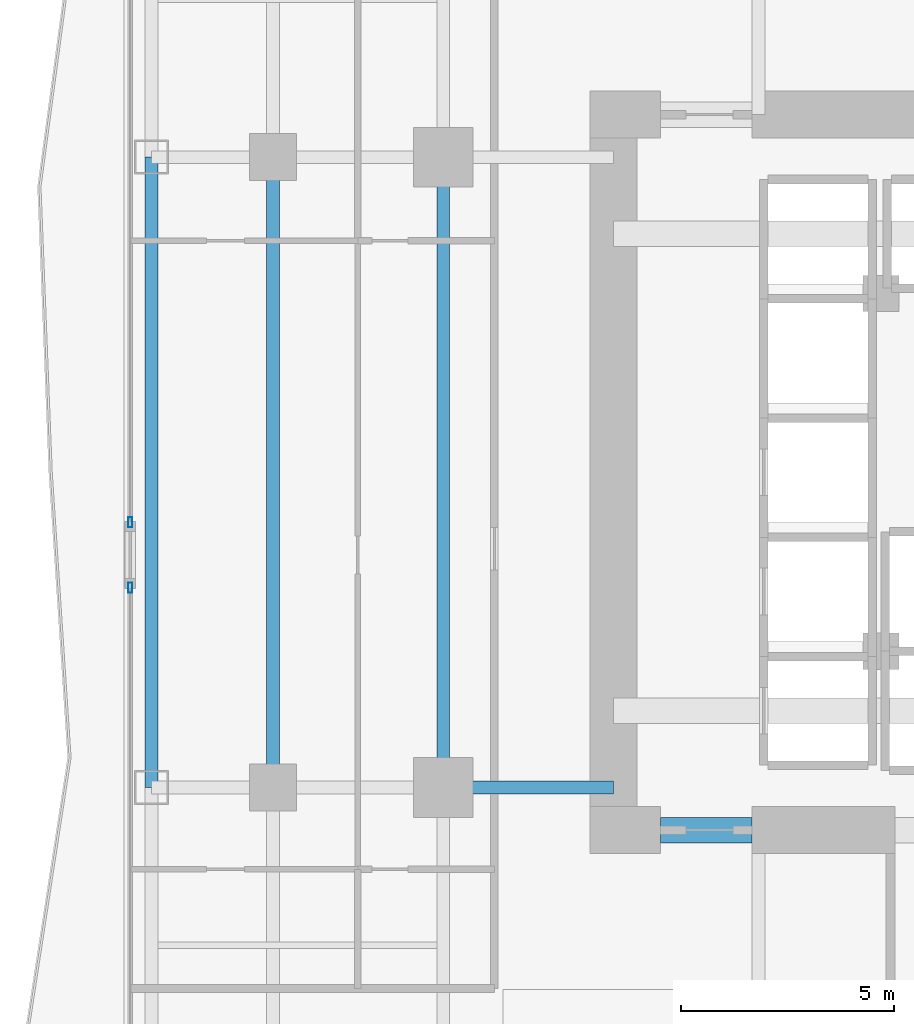
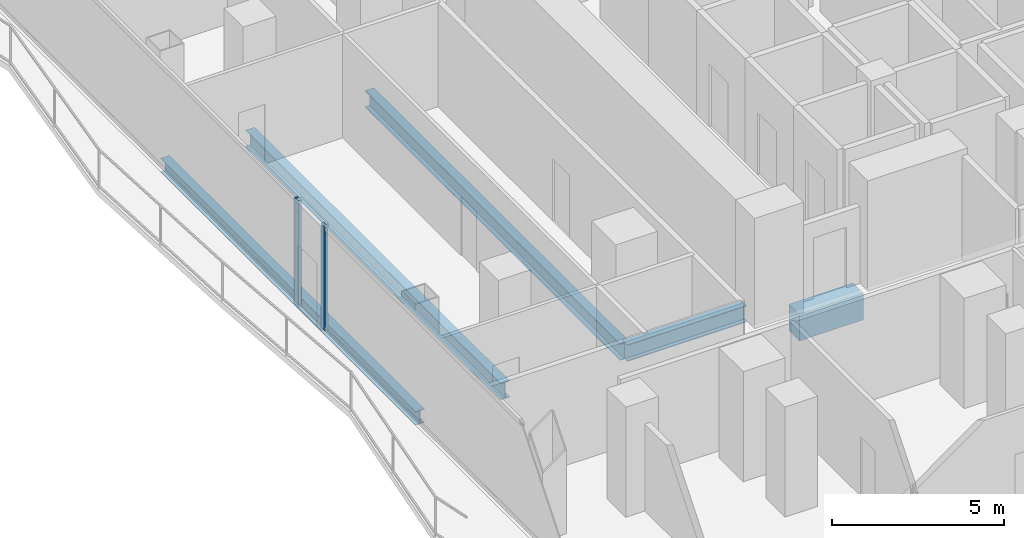
# One storey, part 6 of 27: 5 beams, 2 members, 2 elements without a shape of their own.
"""IFC4 building model written with IfcOpenShell, lengths in metres."""

from ifc_helpers import new_model, si_unit, direction, frame, origin, origin_2d, place, context, subcontext, project, spatial, rectangle, hollow_rectangle, i_section, extrude, material, layer, layer_set, material_profile, profile_set, type_object, element, aggregate, save


model = new_model("IFC4")

# Units and contexts
model_context = context("Model", 3, precision=1e-05, world=origin(), true_north=direction((0.0, 1.0)))
body_context = subcontext(model_context, "Body", "Model", "MODEL_VIEW")
ifc_project = project(units=[si_unit("LENGTHUNIT", "METRE"), si_unit("AREAUNIT", "SQUARE_METRE"), si_unit("VOLUMEUNIT", "CUBIC_METRE"), si_unit("PLANEANGLEUNIT", "RADIAN"), si_unit("MASSUNIT", "GRAM", prefix="KILO")], contexts=[model_context])

# Site, building, storey
site_placement = place(None, origin())
site = spatial("IfcSite", under=ifc_project, at=site_placement, CompositionType="ELEMENT")
building_placement = place(site_placement, origin())
building = spatial("IfcBuilding", under=site, at=building_placement, Name="Khorvyn Point Tower", CompositionType="ELEMENT")
storey_placement = place(building_placement, frame((0.0, 0.0, 46.199951171875)))
storey = spatial("IfcBuildingStorey", under=building, at=storey_placement, Name="L12", CompositionType="ELEMENT", Elevation=46.199951171875)

# Curtain wall, member
ifc_material_1 = material(Name="Anodised aluminium 6063-T6 and laminated Low-E glass", Category="aluminium")
ifc_layer = layer(ifc_material_1, 0.18994140625)
ifc_layer_set = layer_set([ifc_layer], Name="Stick-Built Finned Residential Curtain Wall CW-SYS-02")
curtain_wall_type = type_object("IfcCurtainWallType", Name="Stick-Built Finned Residential Curtain Wall CW-SYS-02", PredefinedType="NOTDEFINED", material=ifc_layer_set)
curtain_wall_1_placement = place(storey_placement, origin())
curtain_wall_1 = element("IfcCurtainWall", 1, at=curtain_wall_1_placement, inside=storey, type_object=curtain_wall_type, Name="Curtain Wall", PredefinedType="NOTDEFINED")
ifc_material_2 = material(Name="Anodised aluminium 6063-T6", Category="aluminium")
ifc_material_profile_1 = material_profile(ifc_material_2, hollow_rectangle(XDim=0.10009765625, YDim=0.239990234375, WallThickness=0.0048828125, at=origin_2d()))
ifc_profile_set_1 = profile_set([ifc_material_profile_1], Name="Anodised aluminium 6063-T6 ALU-MUL-100x240")
member_type = type_object("IfcMemberType", Name="Anodised Aluminium 6063-T6 Mullion ALU-MUL-100x240", PredefinedType="MULLION", material=ifc_profile_set_1)
member_1_placement = place(storey_placement, frame((-22.14990234375, -2.7119140625, 0.0), z_axis=(0.0, 0.0, 1.0), x_axis=(-1.0, 0.0, 0.0)))
member_1 = element("IfcMember", 2, at=member_1_placement, type_object=member_type, Name="Transom", PredefinedType="MULLION", context=body_context, shape_type="SweptSolid", body=[
    extrude(hollow_rectangle(XDim=0.10009765625, YDim=0.239990234375, WallThickness=0.0048828125, at=origin_2d()), origin(), (0.0, 0.0, 1.0), 3.679931640625),
])
aggregate(curtain_wall_1, [member_1])

curtain_wall_2_placement = place(storey_placement, origin())
curtain_wall_2 = element("IfcCurtainWall", 3, at=curtain_wall_2_placement, inside=storey, type_object=curtain_wall_type, Name="Curtain Wall", PredefinedType="NOTDEFINED")
member_2_placement = place(storey_placement, frame((-22.14990234375, -1.172119140625, 0.0), z_axis=(0.0, 0.0, 1.0), x_axis=(-1.0, 0.0, 0.0)))
member_2 = element("IfcMember", 4, at=member_2_placement, type_object=member_type, Name="Transom", PredefinedType="MULLION", context=body_context, shape_type="SweptSolid", body=[
    extrude(hollow_rectangle(XDim=0.10009765625, YDim=0.239990234375, WallThickness=0.0048828125, at=origin_2d()), origin(), (0.0, 0.0, 1.0), 3.679931640625),
])
aggregate(curtain_wall_2, [member_2])

# Beams
ifc_material_3 = material(Name="Concrete C50/60", Category="concrete")
ifc_material_profile_2 = material_profile(ifc_material_3, rectangle(XDim=0.60009765625, YDim=0.949951171875, at=origin_2d()))
ifc_profile_set_2 = profile_set([ifc_material_profile_2], Name="Concrete C50/60 RC600x950")
beam_type_1 = type_object("IfcBeamType", Name="Concrete C50/60 Beam RC600x950", PredefinedType="BEAM", material=ifc_profile_set_2)
beam_1_placement = place(storey_placement, frame((-9.699951171875, -8.39990234375, -0.695068359375), z_axis=(1.0, 0.0, 0.0), x_axis=(0.0, 1.0, 0.0)))
element("IfcBeam", 5, at=beam_1_placement, inside=storey, type_object=beam_type_1, Name="L12 Core Southwest Portal Coupling Beam", PredefinedType="BEAM", context=body_context, shape_type="SweptSolid", body=[
    extrude(rectangle(XDim=0.60009765625, YDim=0.949951171875, at=origin_2d()), origin(), (0.0, 0.0, 1.0), 2.14990234375),
])
ifc_material_4 = material(Name="Steel S355", Category="steel")
ifc_material_profile_3 = material_profile(ifc_material_4, i_section(OverallWidth=0.300048828125, OverallDepth=0.587890625, WebThickness=0.011962890625, FlangeThickness=0.02001953125, at=origin_2d()))
ifc_profile_set_3 = profile_set([ifc_material_profile_3], Name="Steel S355 H588x300x12x20")
beam_type_2 = type_object("IfcBeamType", Name="Steel S355 Beam H588x300x12x20", PredefinedType="BEAM", material=ifc_profile_set_3)
beam_2_placement = place(storey_placement, frame((-14.800048828125, -7.39990234375, -0.513916015625), z_axis=(1.0, 0.0, 0.0), x_axis=(0.0, 1.0, 0.0)))
element("IfcBeam", 6, at=beam_2_placement, inside=storey, type_object=beam_type_2, Name="Beam", PredefinedType="BEAM", context=body_context, shape_type="SweptSolid", body=[
    extrude(i_section(OverallWidth=0.300048828125, OverallDepth=0.587890625, WebThickness=0.011962890625, FlangeThickness=0.02001953125, at=origin_2d()), origin(), (0.0, 0.0, 1.0), 4.0),
])
for number, where, z_axis, x_axis, name in (
    (7, (-14.800048828125, -7.39990234375, -0.513916015625), (0.0, 1.0, 0.0), (-1.0, 0.0, 0.0), "Beam"),
    (8, (-18.800048828125, -7.39990234375, -0.513916015625), (0.0, 1.0, 0.0), (-1.0, 0.0, 0.0), "Beam"),
):
    element("IfcBeam", number, at=place(storey_placement, frame(where, z_axis=z_axis, x_axis=x_axis)), inside=storey, type_object=beam_type_2, Name=name, PredefinedType="BEAM", context=body_context, shape_type="SweptSolid", body=[
        extrude(i_section(OverallWidth=0.300048828125, OverallDepth=0.587890625, WebThickness=0.011962890625, FlangeThickness=0.02001953125, at=origin_2d()), origin(), (0.0, 0.0, 1.0), 14.7998046875),
    ])
ifc_material_profile_4 = material_profile(ifc_material_4, i_section(OverallWidth=0.300048828125, OverallDepth=0.488037109375, WebThickness=0.010986328125, FlangeThickness=0.01806640625, at=origin_2d()))
ifc_profile_set_4 = profile_set([ifc_material_profile_4], Name="Steel S355 H488x300x11x18")
beam_type_3 = type_object("IfcBeamType", Name="Steel S355 Spandrel H488x300x11x18", PredefinedType="SPANDREL", material=ifc_profile_set_4)
beam_3_placement = place(storey_placement, frame((-21.64990234375, -7.39990234375, -0.4638671875), z_axis=(0.0, 1.0, 0.0), x_axis=(-1.0, 0.0, 0.0)))
element("IfcBeam", 9, at=beam_3_placement, inside=storey, type_object=beam_type_3, Name="Beam", PredefinedType="SPANDREL", context=body_context, shape_type="SweptSolid", body=[
    extrude(i_section(OverallWidth=0.300048828125, OverallDepth=0.488037109375, WebThickness=0.010986328125, FlangeThickness=0.01806640625, at=origin_2d()), origin(), (0.0, 0.0, 1.0), 14.7998046875),
])

save(model, "model.ifc")
